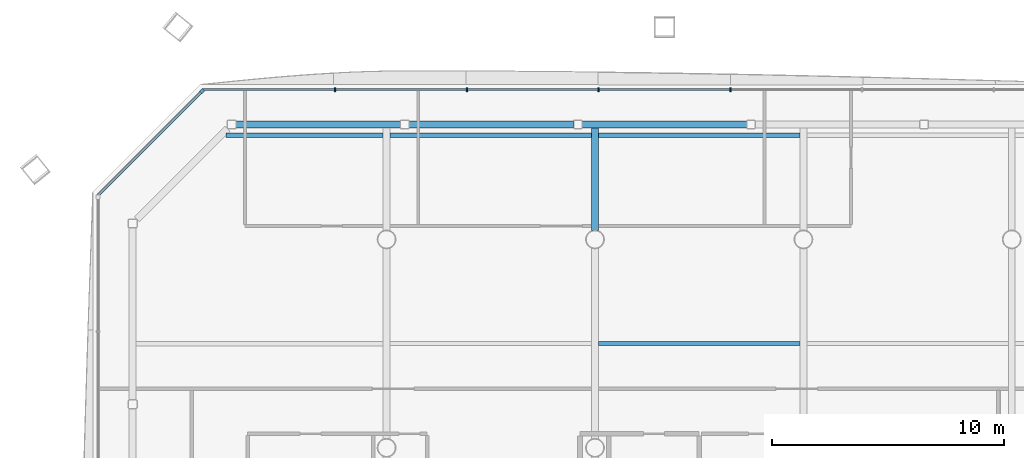
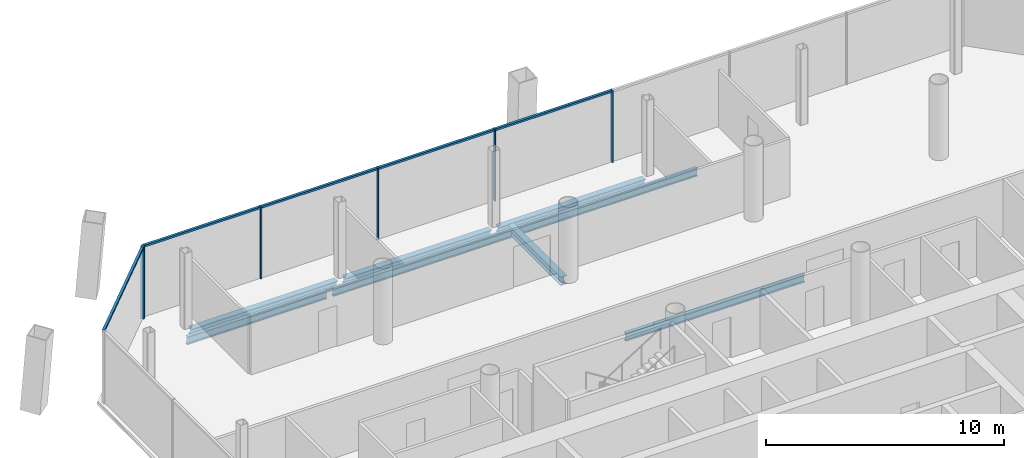
# One storey, part 8 of 19: 10 members, 8 beams, 2 elements without a shape of their own.
"""IFC4 building model written with IfcOpenShell, lengths in metres."""

from ifc_helpers import new_model, si_unit, direction, frame, origin, origin_2d, place, context, subcontext, project, spatial, rectangle, i_section, extrude, material, material_profile, profile_set, type_object, element, aggregate, save


model = new_model("IFC4")

# Units and contexts
model_context = context("Model", 3, precision=1e-05, world=origin(), true_north=direction((0.0, 1.0)))
body_context = subcontext(model_context, "Body", "Model", "MODEL_VIEW")
ifc_project = project(units=[si_unit("LENGTHUNIT", "METRE"), si_unit("AREAUNIT", "SQUARE_METRE"), si_unit("VOLUMEUNIT", "CUBIC_METRE"), si_unit("PLANEANGLEUNIT", "RADIAN"), si_unit("MASSUNIT", "GRAM", prefix="KILO")], contexts=[model_context])

# Site, building, storey
site_placement = place(None, origin())
site = spatial("IfcSite", under=ifc_project, at=site_placement, CompositionType="ELEMENT")
building_placement = place(site_placement, origin())
building = spatial("IfcBuilding", under=site, at=building_placement, Name="Tskaro Facet Tower", CompositionType="ELEMENT")
storey_placement = place(building_placement, frame((0.0, 0.0, 93.300048828125)))
storey = spatial("IfcBuildingStorey", under=building, at=storey_placement, Name="L22", CompositionType="ELEMENT", Elevation=93.300048828125)

# Curtain wall, member
ifc_material_1 = material(Name="Bronze anodised aluminium 6063-T6", Category="aluminium")
curtain_wall_type = type_object("IfcCurtainWallType", Name="Bronze office curtain wall (FW1)", PredefinedType="NOTDEFINED", material=ifc_material_1)
curtain_wall_1_placement = place(storey_placement, origin())
curtain_wall_1 = element("IfcCurtainWall", 1, at=curtain_wall_1_placement, inside=storey, type_object=curtain_wall_type, Name="FW1 north-west facet L22", PredefinedType="NOTDEFINED")
ifc_material_profile_1 = material_profile(ifc_material_1, rectangle(XDim=0.159912109375, YDim=0.159912109375, at=origin_2d()), Name="Corner post 160x160")
ifc_profile_set_1 = profile_set([ifc_material_profile_1], Name="Bronze anodised aluminium 6063-T6")
member_type_1 = type_object("IfcMemberType", Name="FW1 bronze corner post 160x160", PredefinedType="MULLION", material=ifc_profile_set_1)
member_1_placement = place(storey_placement, frame((-16.969482421875, 24.406494140625, 0.0), z_axis=(0.0, 0.0, 1.0), x_axis=(-0.707106781187, -0.707106781187, 0.0)))
member_1 = element("IfcMember", 2, at=member_1_placement, type_object=member_type_1, Name="FW1 north-west corner post", PredefinedType="MULLION", context=body_context, shape_type="SweptSolid", body=[
    extrude(rectangle(XDim=0.159912109375, YDim=0.159912109375, at=origin_2d()), origin(), (0.0, 0.0, 1.0), 3.699951171875),
])

# Curtain wall, members
curtain_wall_2_placement = place(storey_placement, origin())
curtain_wall_2 = element("IfcCurtainWall", 3, at=curtain_wall_2_placement, inside=storey, type_object=curtain_wall_type, Name="FW1 north facet L22", PredefinedType="NOTDEFINED")
ifc_material_profile_2 = material_profile(ifc_material_1, rectangle(XDim=0.06005859375, YDim=0.159912109375, at=origin_2d()), Name="Mullion 60x160")
ifc_profile_set_2 = profile_set([ifc_material_profile_2], Name="Bronze anodised aluminium 6063-T6")
member_type_2 = type_object("IfcMemberType", Name="FW1 bronze mullion 60x160", PredefinedType="MULLION", material=ifc_profile_set_2)
member_2_placement = place(storey_placement, frame((5.8447265625, 24.462890625, 0.0), z_axis=(0.0, 0.0, 1.0), x_axis=(-1.0, 0.0, 0.0)))
member_2 = element("IfcMember", 4, at=member_2_placement, type_object=member_type_2, Name="FW1 north mullion 3", PredefinedType="MULLION", context=body_context, shape_type="SweptSolid", body=[
    extrude(rectangle(XDim=0.06005859375, YDim=0.159912109375, at=origin_2d()), origin(), (0.0, 0.0, 1.0), 3.699951171875),
])
member_3_placement = place(storey_placement, frame((0.1552734375, 24.462890625, 0.0), z_axis=(0.0, 0.0, 1.0), x_axis=(-1.0, 0.0, 0.0)))
member_3 = element("IfcMember", 5, at=member_3_placement, type_object=member_type_2, Name="FW1 north mullion 4", PredefinedType="MULLION", context=body_context, shape_type="SweptSolid", body=[
    extrude(rectangle(XDim=0.06005859375, YDim=0.159912109375, at=origin_2d()), origin(), (0.0, 0.0, 1.0), 3.699951171875),
])
member_4_placement = place(storey_placement, frame((-5.5341796875, 24.462890625, 0.0), z_axis=(0.0, 0.0, 1.0), x_axis=(-1.0, 0.0, 0.0)))
member_4 = element("IfcMember", 6, at=member_4_placement, type_object=member_type_2, Name="FW1 north mullion 5", PredefinedType="MULLION", context=body_context, shape_type="SweptSolid", body=[
    extrude(rectangle(XDim=0.06005859375, YDim=0.159912109375, at=origin_2d()), origin(), (0.0, 0.0, 1.0), 3.699951171875),
])
member_5_placement = place(storey_placement, frame((-11.2236328125, 24.462890625, 0.0), z_axis=(0.0, 0.0, 1.0), x_axis=(-1.0, 0.0, 0.0)))
member_5 = element("IfcMember", 7, at=member_5_placement, type_object=member_type_2, Name="FW1 north mullion 6", PredefinedType="MULLION", context=body_context, shape_type="SweptSolid", body=[
    extrude(rectangle(XDim=0.06005859375, YDim=0.159912109375, at=origin_2d()), origin(), (0.0, 0.0, 1.0), 3.699951171875),
])
ifc_material_profile_3 = material_profile(ifc_material_1, rectangle(XDim=0.1201171875, YDim=0.10009765625, at=origin_2d()), Name="Transom 120x100")
ifc_profile_set_3 = profile_set([ifc_material_profile_3], Name="Bronze anodised aluminium 6063-T6")
member_type_3 = type_object("IfcMemberType", Name="FW1 bronze transom 120x100", PredefinedType="USERDEFINED", material=ifc_profile_set_3)
member_6_placement = place(storey_placement, frame((5.814697265625, 24.462890625, 3.64990234375), z_axis=(-1.0, 0.0, 0.0), x_axis=(0.0, -1.0, 0.0)))
member_6 = element("IfcMember", 8, at=member_6_placement, type_object=member_type_3, Name="FW1 north transom 4.1", ObjectType="TRANSOM", PredefinedType="USERDEFINED", context=body_context, shape_type="SweptSolid", body=[
    extrude(rectangle(XDim=0.1201171875, YDim=0.10009765625, at=origin_2d()), origin(), (0.0, 0.0, 1.0), 5.62939453125),
])
member_7_placement = place(storey_placement, frame((0.125244140625, 24.462890625, 3.64990234375), z_axis=(-1.0, 0.0, 0.0), x_axis=(0.0, -1.0, 0.0)))
member_7 = element("IfcMember", 9, at=member_7_placement, type_object=member_type_3, Name="FW1 north transom 5.1", ObjectType="TRANSOM", PredefinedType="USERDEFINED", context=body_context, shape_type="SweptSolid", body=[
    extrude(rectangle(XDim=0.1201171875, YDim=0.10009765625, at=origin_2d()), origin(), (0.0, 0.0, 1.0), 5.62939453125),
])
member_8_placement = place(storey_placement, frame((-5.564208984375, 24.462890625, 3.64990234375), z_axis=(-1.0, 0.0, 0.0), x_axis=(0.0, -1.0, 0.0)))
member_8 = element("IfcMember", 10, at=member_8_placement, type_object=member_type_3, Name="FW1 north transom 6.1", ObjectType="TRANSOM", PredefinedType="USERDEFINED", context=body_context, shape_type="SweptSolid", body=[
    extrude(rectangle(XDim=0.1201171875, YDim=0.10009765625, at=origin_2d()), origin(), (0.0, 0.0, 1.0), 5.62939453125),
])
member_9_placement = place(storey_placement, frame((-11.253662109375, 24.462890625, 3.64990234375), z_axis=(-1.0, 0.0, 0.0), x_axis=(0.0, -1.0, 0.0)))
member_9 = element("IfcMember", 11, at=member_9_placement, type_object=member_type_3, Name="FW1 north transom 7.1", ObjectType="TRANSOM", PredefinedType="USERDEFINED", context=body_context, shape_type="SweptSolid", body=[
    extrude(rectangle(XDim=0.1201171875, YDim=0.10009765625, at=origin_2d()), origin(), (0.0, 0.0, 1.0), 5.659423828125),
])
aggregate(curtain_wall_2, [member_2, member_3, member_4, member_5, member_6, member_7, member_8, member_9])

# Member
member_10_placement = place(storey_placement, frame((-17.026123046875, 24.349853515625, 3.64990234375), z_axis=(-0.707106781187, -0.707106781187, 0.0), x_axis=(0.707106781187, -0.707106781187, 0.0)))
member_10 = element("IfcMember", 12, at=member_10_placement, type_object=member_type_3, Name="FW1 north-west transom 1.1", ObjectType="TRANSOM", PredefinedType="USERDEFINED", context=body_context, shape_type="SweptSolid", body=[
    extrude(rectangle(XDim=0.1201171875, YDim=0.10009765625, at=origin_2d()), origin(), (0.0, 0.0, 1.0), 6.274658203125),
])

aggregate(curtain_wall_1, [member_1, member_10])

# Beams
ifc_material_2 = material(Name="Steel S355J2", Category="steel")
ifc_material_profile_4 = material_profile(ifc_material_2, i_section(OverallWidth=0.300048828125, OverallDepth=0.360107421875, WebThickness=0.012451171875, FlangeThickness=0.0224609375, FilletRadius=0.027099609375, at=origin_2d()), Name="HE 360 B")
ifc_profile_set_4 = profile_set([ifc_material_profile_4], Name="Steel S355J2")
beam_type_1 = type_object("IfcBeamType", Name="HE 360 B ring beam", PredefinedType="BEAM", material=ifc_profile_set_4)
beam_1_placement = place(storey_placement, frame((6.55810546875, 22.965087890625, -0.320068359375), z_axis=(-1.0, 0.0, 0.0), x_axis=(0.0, -1.0, 0.0)))
element("IfcBeam", 13, at=beam_1_placement, inside=storey, type_object=beam_type_1, Name="HE 360 B EB15-2", PredefinedType="BEAM", context=body_context, shape_type="SweptSolid", body=[
    extrude(i_section(OverallWidth=0.300048828125, OverallDepth=0.360107421875, WebThickness=0.012451171875, FlangeThickness=0.0224609375, FilletRadius=0.027099609375, at=origin_2d()), origin(), (0.0, 0.0, 1.0), 7.1162109375),
])
for number, where, z_axis, x_axis, name in (
    (14, (-0.91796875, 22.965087890625, -0.320068359375), (-1.0, 0.0, 0.0), (0.0, -1.0, 0.0), "HE 360 B EB16-2"),
    (15, (-8.39404296875, 22.965087890625, -0.320068359375), (-1.0, 0.0, 0.0), (0.0, -1.0, 0.0), "HE 360 B EB17-2"),
):
    element("IfcBeam", number, at=place(storey_placement, frame(where, z_axis=z_axis, x_axis=x_axis)), inside=storey, type_object=beam_type_1, Name=name, PredefinedType="BEAM", context=body_context, shape_type="SweptSolid", body=[
        extrude(i_section(OverallWidth=0.300048828125, OverallDepth=0.360107421875, WebThickness=0.012451171875, FlangeThickness=0.0224609375, FilletRadius=0.027099609375, at=origin_2d()), origin(), (0.0, 0.0, 1.0), 7.115966796875),
    ])
ifc_material_profile_5 = material_profile(ifc_material_2, i_section(OverallWidth=0.300048828125, OverallDepth=0.43994140625, WebThickness=0.011474609375, FlangeThickness=0.02099609375, FilletRadius=0.027099609375, at=origin_2d()), Name="HE 450 A")
ifc_profile_set_5 = profile_set([ifc_material_profile_5], Name="Steel S355J2")
beam_type_2 = type_object("IfcBeamType", Name="HE 450 A girder", PredefinedType="BEAM", material=ifc_profile_set_5)
beam_2_placement = place(storey_placement, frame((0.0, 18.37646484375, -0.360107421875), z_axis=(0.0, 1.0, 0.0), x_axis=(-1.0, 0.0, 0.0)))
element("IfcBeam", 16, at=beam_2_placement, inside=storey, type_object=beam_type_2, Name="HE 450 A GB4-5-2", PredefinedType="BEAM", context=body_context, shape_type="SweptSolid", body=[
    extrude(i_section(OverallWidth=0.300048828125, OverallDepth=0.43994140625, WebThickness=0.011474609375, FlangeThickness=0.02099609375, FilletRadius=0.027099609375, at=origin_2d()), origin(), (0.0, 0.0, 1.0), 4.4384765625),
])
ifc_material_profile_6 = material_profile(ifc_material_2, i_section(OverallWidth=0.179931640625, OverallDepth=0.39990234375, WebThickness=0.008544921875, FlangeThickness=0.013427734375, FilletRadius=0.02099609375, at=origin_2d()), Name="IPE 400")
ifc_profile_set_6 = profile_set([ifc_material_profile_6], Name="Steel S355J2")
beam_type_3 = type_object("IfcBeamType", Name="IPE 400 secondary beam", PredefinedType="BEAM", material=ifc_profile_set_6)
beam_3_placement = place(storey_placement, frame((0.14990234375, 13.5, -0.340087890625), z_axis=(1.0, 0.0, 0.0), x_axis=(0.0, 1.0, 0.0)))
element("IfcBeam", 17, at=beam_3_placement, inside=storey, type_object=beam_type_3, Name="IPE 400 SB5a-3-2", PredefinedType="BEAM", context=body_context, shape_type="SweptSolid", body=[
    extrude(i_section(OverallWidth=0.179931640625, OverallDepth=0.39990234375, WebThickness=0.008544921875, FlangeThickness=0.013427734375, FilletRadius=0.02099609375, at=origin_2d()), origin(), (0.0, 0.0, 1.0), 8.7001953125),
])
beam_4_placement = place(storey_placement, frame((-15.943115234375, 22.5, -0.340087890625), z_axis=(1.0, 0.0, 0.0), x_axis=(0.0, 1.0, 0.0)))
element("IfcBeam", 18, at=beam_4_placement, inside=storey, type_object=beam_type_3, Name="IPE 400 SB6a-1-2", PredefinedType="BEAM", context=body_context, shape_type="SweptSolid", body=[
    extrude(i_section(OverallWidth=0.179931640625, OverallDepth=0.39990234375, WebThickness=0.008544921875, FlangeThickness=0.013427734375, FilletRadius=0.02099609375, at=origin_2d()), origin(), (0.0, 0.0, 1.0), 6.793212890625),
])
for number, where, z_axis, x_axis, name in (
    (19, (-8.85009765625, 22.5, -0.340087890625), (1.0, 0.0, 0.0), (0.0, 1.0, 0.0), "IPE 400 SB6a-2-2"),
    (20, (0.14990234375, 22.5, -0.340087890625), (1.0, 0.0, 0.0), (0.0, 1.0, 0.0), "IPE 400 SB6a-3-2"),
):
    element("IfcBeam", number, at=place(storey_placement, frame(where, z_axis=z_axis, x_axis=x_axis)), inside=storey, type_object=beam_type_3, Name=name, PredefinedType="BEAM", context=body_context, shape_type="SweptSolid", body=[
        extrude(i_section(OverallWidth=0.179931640625, OverallDepth=0.39990234375, WebThickness=0.008544921875, FlangeThickness=0.013427734375, FilletRadius=0.02099609375, at=origin_2d()), origin(), (0.0, 0.0, 1.0), 8.7001953125),
    ])

save(model, "model.ifc")
